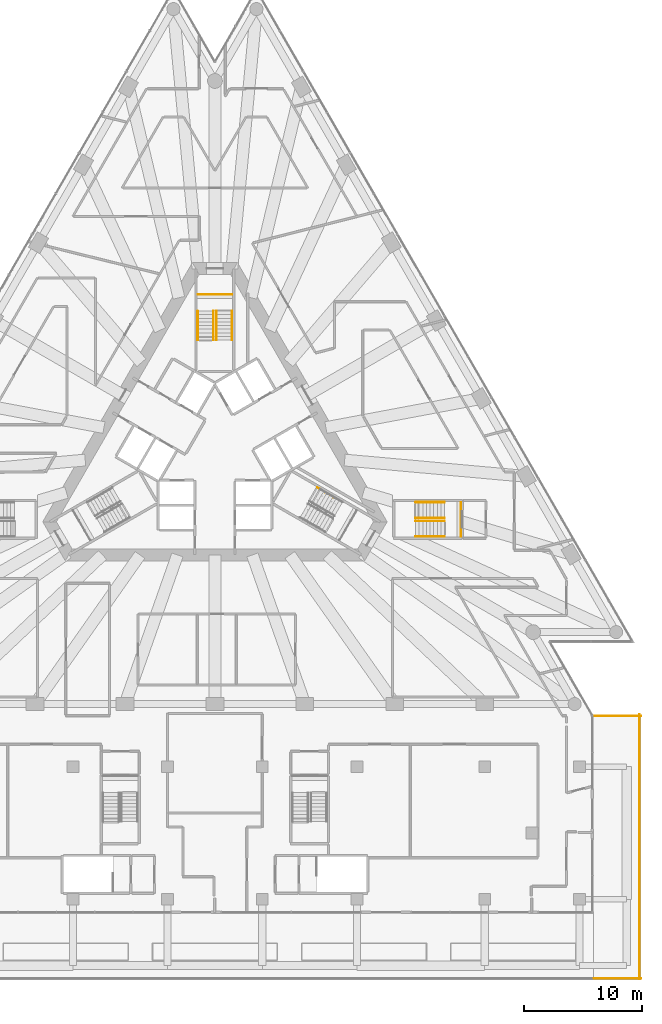
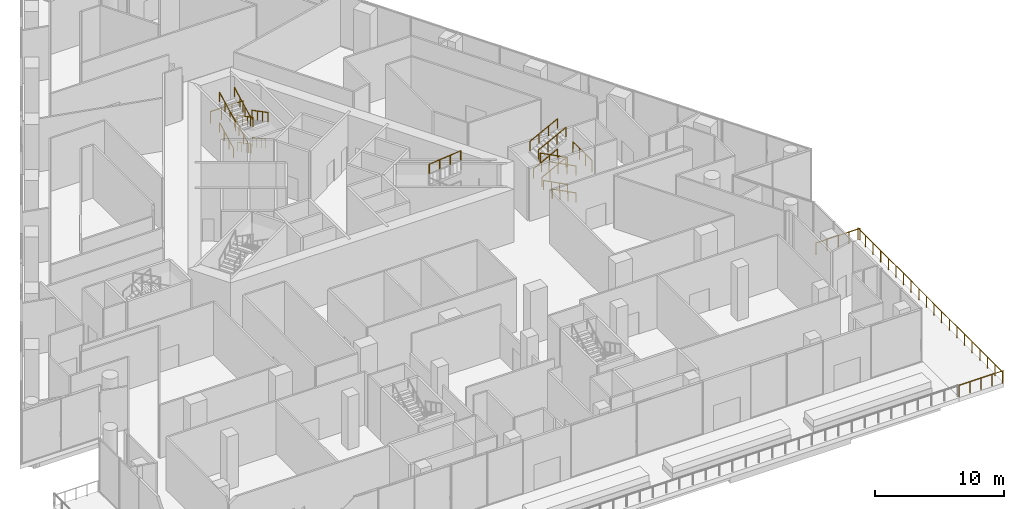
# One storey, part 32 of 32: 22 railings, 3 elements without a shape of their own.
"""IFC4 building model written with IfcOpenShell, lengths in metres."""

import ifcopenshell
import ifcopenshell.guid

model = None  # the IFC model being written
_history = None  # IfcOwnerHistory: only IFC2X3 demands one
_inside = {}  # id of a spatial element -> (the spatial element, [elements in it])
_under = {}  # id of a project, library or spatial element -> (it, [spatial elements below it])
_declared = {}  # id of a project -> (the project, [libraries it declares])
_typed = {}  # id of a type object -> (the type object, [elements of that type])
_made_of = {}  # id of a material, layer set ... -> (it, [elements and type objects made of it])


def new_model(schema):
    """Start an empty IFC model of exactly this schema.

    Asked for "IFC4X3", IfcOpenShell would pick the latest addendum, in which some entities
    have other attributes; the version numbers below select the first issue.
    IFC2X3 requires an IfcOwnerHistory on every rooted entity: one is made here for all.
    """
    global model, _history
    if schema == "IFC4X3":
        model = ifcopenshell.file(schema_version=(4, 3, 0, 0))
    else:
        model = ifcopenshell.file(schema=schema)
    _inside.clear()
    _under.clear()
    _declared.clear()
    _typed.clear()
    _made_of.clear()
    _history = None
    if model.schema == "IFC2X3":
        org = make("IfcOrganization", Name="unknown")
        user = make(
            "IfcPersonAndOrganization",
            ThePerson=make("IfcPerson", FamilyName="unknown"),
            TheOrganization=org,
        )
        app = make(
            "IfcApplication",
            ApplicationDeveloper=org,
            Version="unknown",
            ApplicationFullName="unknown",
            ApplicationIdentifier="unknown",
        )
        _history = make(
            "IfcOwnerHistory",
            OwningUser=user,
            OwningApplication=app,
            ChangeAction="ADDED",
            CreationDate=0,
        )
    return model


def make(cls, **values):
    """One entity of the class cls with the attributes given. An attribute that is None is left unset."""
    return model.create_entity(
        cls, **{name: value for name, value in values.items() if value is not None}
    )


def rooted(cls, **values):
    """An entity with a GlobalId (a new one), such as an element, a storey or a relation."""
    return make(cls, GlobalId=ifcopenshell.guid.new(), OwnerHistory=_history, **values)


def si_unit(unit_type, name, prefix=None):
    """IfcSIUnit, for example si_unit("LENGTHUNIT", "METRE", prefix="MILLI")."""
    return make("IfcSIUnit", UnitType=unit_type, Prefix=prefix, Name=name)


def assignment(units):
    """IfcUnitAssignment: the units of a project."""
    return None if units is None else make("IfcUnitAssignment", Units=units)


def point(xyz):
    """IfcCartesianPoint."""
    return None if xyz is None else make("IfcCartesianPoint", Coordinates=xyz)


def direction(xyz):
    """IfcDirection."""
    return None if xyz is None else make("IfcDirection", DirectionRatios=xyz)


def frame(location, z_axis=None, x_axis=None):
    """IfcAxis2Placement3D, a coordinate frame: its origin and axes. An axis left out is left unset."""
    return make(
        "IfcAxis2Placement3D",
        Location=point(location),
        Axis=direction(z_axis),
        RefDirection=direction(x_axis),
    )


def frame_2d(location, x_axis=None):
    """IfcAxis2Placement2D, a coordinate frame in the plane: its origin and x axis."""
    return make(
        "IfcAxis2Placement2D", Location=point(location), RefDirection=direction(x_axis)
    )


def origin():
    """The frame at (0, 0, 0) with its axes left unset."""
    return frame((0.0, 0.0, 0.0))


def origin_2d():
    """The frame at (0, 0) in the plane with its x axis left unset."""
    return frame_2d((0.0, 0.0))


def place(relative_to, where):
    """IfcLocalPlacement: puts the frame where relative to a parent placement (None: the world)."""
    return make(
        "IfcLocalPlacement", PlacementRelTo=relative_to, RelativePlacement=where
    )


def context(
    kind, dimensions, precision=None, world=None, true_north=None, identifier=None
):
    """IfcGeometricRepresentationContext, for example the 3D "Model" context."""
    return make(
        "IfcGeometricRepresentationContext",
        ContextIdentifier=identifier,
        ContextType=kind,
        CoordinateSpaceDimension=dimensions,
        Precision=precision,
        WorldCoordinateSystem=world,
        TrueNorth=true_north,
    )


def subcontext(parent, identifier, kind, view, scale=None):
    """IfcGeometricRepresentationSubContext, for example "Body" below "Model"."""
    return make(
        "IfcGeometricRepresentationSubContext",
        ContextIdentifier=identifier,
        ContextType=kind,
        ParentContext=parent,
        TargetScale=scale,
        TargetView=view,
    )


def project(units=None, contexts=None):
    """IfcProject with its units and contexts."""
    return rooted(
        "IfcProject",
        Name="project",
        RepresentationContexts=contexts,
        UnitsInContext=assignment(units),
    )


def spatial(cls, under=None, at=None, **own):
    """A site, building, storey or space (cls), placed at a placement, below another one or the project."""
    s = rooted(cls, ObjectPlacement=at, **own)
    if under is not None:
        _under.setdefault(under.id(), (under, []))[1].append(s)
    return s


def profile(cls, at=None, kind="AREA", **sizes):
    """A parametric profile (cls). Its sizes go by their IFC names, for example OverallWidth=200.0."""
    return make(cls, ProfileType=kind, Position=at, **sizes)


def circle(**sizes):
    """IfcCircleProfileDef."""
    return profile("IfcCircleProfileDef", **sizes)


def extrude(swept, where, along, depth):
    """IfcExtrudedAreaSolid: the profile swept, set in the frame where, extruded along a direction by depth."""
    return make(
        "IfcExtrudedAreaSolid",
        SweptArea=swept,
        Position=where,
        ExtrudedDirection=direction(along),
        Depth=depth,
    )


def shape(context_of_items, identifier, shape_type, items):
    """IfcShapeRepresentation: the items that make up one representation, for example the "Body"."""
    return make(
        "IfcShapeRepresentation",
        ContextOfItems=context_of_items,
        RepresentationIdentifier=identifier,
        RepresentationType=shape_type,
        Items=items,
    )


def material(Name=None, Category=None):
    """IfcMaterial."""
    return make("IfcMaterial", Name=Name, Category=Category)


def made_of(thing, what):
    """Note that an element or type object is made of a material, layer set ...; save() writes the relation."""
    if what is not None:
        _made_of.setdefault(what.id(), (what, []))[1].append(thing)
    return thing


def type_object(cls, material=None, **own):
    """A type object (cls), such as IfcWallType, which elements share."""
    return made_of(rooted(cls, **own), material)


def element(
    cls,
    number,
    at=None,
    inside=None,
    cuts=None,
    type_object=None,
    material=None,
    context=None,
    identifier="Body",
    shape_type=None,
    held_by="IfcProductDefinitionShape",
    body=None,
    shapes=None,
    **own,
):
    """One element of the class cls, such as IfcWall. Its Tag is "e" and its number.

    at: its placement. inside: the storey or other place that contains it. cuts: it is an
    opening in that element (IfcRelVoidsElement). A single representation is given by context,
    identifier, shape_type and body (its items); several are given by shapes. held_by: the class
    of the entity that holds the representations. save() writes the other relations.
    """
    e = rooted(cls, Tag="e%d" % number, ObjectPlacement=at, **own)
    if body is not None:
        shapes = [shape(context, identifier, shape_type, body)]
    if shapes is not None:
        e.Representation = make(held_by, Representations=shapes)
    if inside is not None:
        _inside.setdefault(inside.id(), (inside, []))[1].append(e)
    if cuts is not None:
        rooted(
            "IfcRelVoidsElement", RelatingBuildingElement=cuts, RelatedOpeningElement=e
        )
    if type_object is not None:
        _typed.setdefault(type_object.id(), (type_object, []))[1].append(e)
    return made_of(e, material)


def aggregate(whole, parts):
    """IfcRelAggregates: a whole, such as a stair, and the parts it consists of."""
    return rooted("IfcRelAggregates", RelatingObject=whole, RelatedObjects=parts)


def save(model, path):
    """Write the relations noted so far, then the file.

    IfcRelAggregates (storeys below a building ...), IfcRelContainedInSpatialStructure (elements
    in a storey), IfcRelDefinesByType, IfcRelAssociatesMaterial and IfcRelDeclares: one each for
    every whole, place, type object, material and project.
    """
    for whole, parts in _under.values():
        aggregate(whole, parts)
    for where, things in _inside.values():
        rooted(
            "IfcRelContainedInSpatialStructure",
            RelatedElements=things,
            RelatingStructure=where,
        )
    for kind, things in _typed.values():
        rooted("IfcRelDefinesByType", RelatedObjects=things, RelatingType=kind)
    for what, things in _made_of.values():
        rooted("IfcRelAssociatesMaterial", RelatedObjects=things, RelatingMaterial=what)
    for by, libraries in _declared.values():
        rooted("IfcRelDeclares", RelatingContext=by, RelatedDefinitions=libraries)
    model.write(path)


model = new_model("IFC4")

# Units and contexts
model_context = context("Model", 3, precision=1e-05, world=origin(), true_north=direction((0.0, 1.0)))
body_context = subcontext(model_context, "Body", "Model", "MODEL_VIEW")
ifc_project = project(units=[si_unit("LENGTHUNIT", "METRE"), si_unit("AREAUNIT", "SQUARE_METRE"), si_unit("VOLUMEUNIT", "CUBIC_METRE"), si_unit("PLANEANGLEUNIT", "RADIAN"), si_unit("MASSUNIT", "GRAM", prefix="KILO")], contexts=[model_context])

# Site, building, storey
site_placement = place(None, origin())
site = spatial("IfcSite", under=ifc_project, at=site_placement, CompositionType="ELEMENT")
building_placement = place(site_placement, origin())
building = spatial("IfcBuilding", under=site, at=building_placement, Name="Triada Interchange Tower", CompositionType="ELEMENT")
storey_placement = place(building_placement, frame((0.0, 0.0, 14.5)))
storey = spatial("IfcBuildingStorey", under=building, at=storey_placement, Name="L02", CompositionType="ELEMENT", Elevation=14.5)

# Stair, railing
ifc_material_1 = material(Name="Concrete C35/45", Category="concrete")
stair_type = type_object("IfcStairType", Name="HALF TURN STAIR 1400", PredefinedType="HALF_TURN_STAIR", material=ifc_material_1)
stair_1_placement = place(storey_placement, origin())
stair_1 = element("IfcStair", 1, at=stair_1_placement, inside=storey, type_object=stair_type, Name="Exit stair S02-1", PredefinedType="HALF_TURN_STAIR")
ifc_material_2 = material(Name="Stainless steel 1.4301", Category="steel")
railing_type_1 = type_object("IfcRailingType", Name="STAIR GUARD 1100", PredefinedType="GUARDRAIL", material=ifc_material_2)
railing_1_placement = place(storey_placement, frame((1.449951171875, 13.0, 2.541015625)))
railing_1 = element("IfcRailing", 2, at=railing_1_placement, type_object=railing_type_1, Name="Guard S02-1 1", PredefinedType="GUARDRAIL", context=body_context, shape_type="SweptSolid", body=[
    extrude(circle(Radius=0.02392578125, at=origin_2d()), frame((0.0, 0.0, 1.076171875), z_axis=(-1.0, 0.0, 0.0), x_axis=(0.0, -1.0, 0.0)), (0.0, 0.0, 1.0), 2.89990234375),
    extrude(circle(Radius=0.02099609375, at=origin_2d()), origin(), (0.0, 0.0, 1.0), 1.052001953125),
    extrude(circle(Radius=0.02099609375, at=origin_2d()), frame((-0.966552734375, 0.0, 0.0)), (0.0, 0.0, 1.0), 1.052001953125),
    extrude(circle(Radius=0.02099609375, at=origin_2d()), frame((-1.933349609375, 0.0, 0.0)), (0.0, 0.0, 1.0), 1.052001953125),
    extrude(circle(Radius=0.02099609375, at=origin_2d()), frame((-2.89990234375, 0.0, 0.0)), (0.0, 0.0, 1.0), 1.052001953125),
])

stair_2_placement = place(storey_placement, origin())
stair_2 = element("IfcStair", 3, at=stair_2_placement, inside=storey, type_object=stair_type, Name="Exit stair S02-7", PredefinedType="HALF_TURN_STAIR")
railing_2_placement = place(storey_placement, frame((20.800048828125, -7.449951171875, 2.541015625)))
railing_2 = element("IfcRailing", 4, at=railing_2_placement, type_object=railing_type_1, Name="Guard S02-7 1", PredefinedType="GUARDRAIL", context=body_context, shape_type="SweptSolid", body=[
    extrude(circle(Radius=0.02392578125, at=origin_2d()), frame((0.0, 0.0, 1.076171875), z_axis=(0.0, 1.0, 0.0), x_axis=(-1.0, 0.0, 0.0)), (0.0, 0.0, 1.0), 2.89990234375),
    extrude(circle(Radius=0.02099609375, at=origin_2d()), origin(), (0.0, 0.0, 1.0), 1.052001953125),
    extrude(circle(Radius=0.02099609375, at=origin_2d()), frame((0.0, 0.966552734375, 0.0)), (0.0, 0.0, 1.0), 1.052001953125),
    extrude(circle(Radius=0.02099609375, at=origin_2d()), frame((0.0, 1.933349609375, 0.0)), (0.0, 0.0, 1.0), 1.052001953125),
    extrude(circle(Radius=0.02099609375, at=origin_2d()), frame((0.0, 2.89990234375, 0.0)), (0.0, 0.0, 1.0), 1.052001953125),
])

# Railing
railing_type_2 = type_object("IfcRailingType", Name="STAIR HANDRAIL 900", PredefinedType="HANDRAIL", material=ifc_material_2)
railing_3_placement = place(storey_placement, frame((1.449951171875, 11.60009765625, 0.15869140625)))
railing_3 = element("IfcRailing", 5, at=railing_3_placement, type_object=railing_type_2, Name="Handrail S02-1 1W", PredefinedType="HANDRAIL", context=body_context, shape_type="SweptSolid", body=[
    extrude(circle(Radius=0.02392578125, at=origin_2d()), frame((0.0, 0.0, 0.8759765625), z_axis=(0.0, -0.886942649844, 0.461879568598), x_axis=(1.0, 0.0, 0.0)), (0.0, 0.0, 1.0), 2.4072265625),
    extrude(circle(Radius=0.02099609375, at=origin_2d()), origin(), (0.0, 0.0, 1.0), 0.851806640625),
    extrude(circle(Radius=0.02099609375, at=origin_2d()), frame((0.0, -0.711669921875, 0.37060546875)), (0.0, 0.0, 1.0), 0.851806640625),
    extrude(circle(Radius=0.02099609375, at=origin_2d()), frame((0.0, -1.42333984375, 0.7412109375)), (0.0, 0.0, 1.0), 0.851806640625),
    extrude(circle(Radius=0.02099609375, at=origin_2d()), frame((0.0, -2.135009765625, 1.11181640625)), (0.0, 0.0, 1.0), 0.851806640625),
])

railing_4_placement = place(storey_placement, frame((0.1201171875, 11.60009765625, 0.15869140625)))
railing_4 = element("IfcRailing", 6, at=railing_4_placement, type_object=railing_type_2, Name="Handrail S02-1 1C", PredefinedType="HANDRAIL", context=body_context, shape_type="SweptSolid", body=[
    extrude(circle(Radius=0.02392578125, at=origin_2d()), frame((0.0, 0.0, 0.8759765625), z_axis=(0.0, -0.886942649844, 0.461879568598), x_axis=(1.0, 0.0, 0.0)), (0.0, 0.0, 1.0), 2.4072265625),
    extrude(circle(Radius=0.02099609375, at=origin_2d()), origin(), (0.0, 0.0, 1.0), 0.851806640625),
    extrude(circle(Radius=0.02099609375, at=origin_2d()), frame((0.0, -0.711669921875, 0.37060546875)), (0.0, 0.0, 1.0), 0.851806640625),
    extrude(circle(Radius=0.02099609375, at=origin_2d()), frame((0.0, -1.42333984375, 0.7412109375)), (0.0, 0.0, 1.0), 0.851806640625),
    extrude(circle(Radius=0.02099609375, at=origin_2d()), frame((0.0, -2.135009765625, 1.11181640625)), (0.0, 0.0, 1.0), 0.851806640625),
])

railing_5_placement = place(storey_placement, frame((-1.449951171875, 9.465087890625, 1.429443359375)))
railing_5 = element("IfcRailing", 7, at=railing_5_placement, type_object=railing_type_2, Name="Handrail S02-1 2W", PredefinedType="HANDRAIL", context=body_context, shape_type="SweptSolid", body=[
    extrude(circle(Radius=0.02392578125, at=origin_2d()), frame((0.0, 0.0, 0.8759765625), z_axis=(0.0, 0.886942649844, 0.461879568598), x_axis=(-1.0, 0.0, 0.0)), (0.0, 0.0, 1.0), 2.4072265625),
    extrude(circle(Radius=0.02099609375, at=origin_2d()), origin(), (0.0, 0.0, 1.0), 0.851806640625),
    extrude(circle(Radius=0.02099609375, at=origin_2d()), frame((0.0, 0.711669921875, 0.37060546875)), (0.0, 0.0, 1.0), 0.851806640625),
    extrude(circle(Radius=0.02099609375, at=origin_2d()), frame((0.0, 1.42333984375, 0.7412109375)), (0.0, 0.0, 1.0), 0.851806640625),
    extrude(circle(Radius=0.02099609375, at=origin_2d()), frame((0.0, 2.135009765625, 1.11181640625)), (0.0, 0.0, 1.0), 0.851806640625),
])

railing_6_placement = place(storey_placement, frame((-0.1201171875, 9.465087890625, 1.429443359375)))
railing_6 = element("IfcRailing", 8, at=railing_6_placement, type_object=railing_type_2, Name="Handrail S02-1 2C", PredefinedType="HANDRAIL", context=body_context, shape_type="SweptSolid", body=[
    extrude(circle(Radius=0.02392578125, at=origin_2d()), frame((0.0, 0.0, 0.8759765625), z_axis=(0.0, 0.886942649844, 0.461879568598), x_axis=(-1.0, 0.0, 0.0)), (0.0, 0.0, 1.0), 2.4072265625),
    extrude(circle(Radius=0.02099609375, at=origin_2d()), origin(), (0.0, 0.0, 1.0), 0.851806640625),
    extrude(circle(Radius=0.02099609375, at=origin_2d()), frame((0.0, 0.711669921875, 0.37060546875)), (0.0, 0.0, 1.0), 0.851806640625),
    extrude(circle(Radius=0.02099609375, at=origin_2d()), frame((0.0, 1.42333984375, 0.7412109375)), (0.0, 0.0, 1.0), 0.851806640625),
    extrude(circle(Radius=0.02099609375, at=origin_2d()), frame((0.0, 2.135009765625, 1.11181640625)), (0.0, 0.0, 1.0), 0.851806640625),
])

railing_7_placement = place(storey_placement, frame((1.449951171875, 11.60009765625, 2.699951171875)))
railing_7 = element("IfcRailing", 9, at=railing_7_placement, type_object=railing_type_2, Name="Handrail S02-1 3W", PredefinedType="HANDRAIL", context=body_context, shape_type="SweptSolid", body=[
    extrude(circle(Radius=0.02392578125, at=origin_2d()), frame((0.0, 0.0, 0.8759765625), z_axis=(0.0, -0.886976943753, 0.461813708383), x_axis=(1.0, 0.0, 0.0)), (0.0, 0.0, 1.0), 2.751220703125),
    extrude(circle(Radius=0.02099609375, at=origin_2d()), origin(), (0.0, 0.0, 1.0), 0.851806640625),
    extrude(circle(Radius=0.02099609375, at=origin_2d()), frame((0.0, -0.8134765625, 0.423583984375)), (0.0, 0.0, 1.0), 0.851806640625),
    extrude(circle(Radius=0.02099609375, at=origin_2d()), frame((0.0, -1.626708984375, 0.846923828125)), (0.0, 0.0, 1.0), 0.851806640625),
    extrude(circle(Radius=0.02099609375, at=origin_2d()), frame((0.0, -2.440185546875, 1.2705078125)), (0.0, 0.0, 1.0), 0.851806640625),
])

railing_8_placement = place(storey_placement, frame((0.1201171875, 11.60009765625, 2.699951171875)))
railing_8 = element("IfcRailing", 10, at=railing_8_placement, type_object=railing_type_2, Name="Handrail S02-1 3C", PredefinedType="HANDRAIL", context=body_context, shape_type="SweptSolid", body=[
    extrude(circle(Radius=0.02392578125, at=origin_2d()), frame((0.0, 0.0, 0.8759765625), z_axis=(0.0, -0.886976943753, 0.461813708383), x_axis=(1.0, 0.0, 0.0)), (0.0, 0.0, 1.0), 2.751220703125),
    extrude(circle(Radius=0.02099609375, at=origin_2d()), origin(), (0.0, 0.0, 1.0), 0.851806640625),
    extrude(circle(Radius=0.02099609375, at=origin_2d()), frame((0.0, -0.8134765625, 0.423583984375)), (0.0, 0.0, 1.0), 0.851806640625),
    extrude(circle(Radius=0.02099609375, at=origin_2d()), frame((0.0, -1.626708984375, 0.846923828125)), (0.0, 0.0, 1.0), 0.851806640625),
    extrude(circle(Radius=0.02099609375, at=origin_2d()), frame((0.0, -2.440185546875, 1.2705078125)), (0.0, 0.0, 1.0), 0.851806640625),
])

railing_9_placement = place(storey_placement, frame((-1.449951171875, 9.159912109375, 4.12939453125)))
railing_9 = element("IfcRailing", 11, at=railing_9_placement, type_object=railing_type_2, Name="Handrail S02-1 4W", PredefinedType="HANDRAIL", context=body_context, shape_type="SweptSolid", body=[
    extrude(circle(Radius=0.02392578125, at=origin_2d()), frame((0.0, 0.0, 0.8759765625), z_axis=(0.0, 0.886976943753, 0.461813708383), x_axis=(-1.0, 0.0, 0.0)), (0.0, 0.0, 1.0), 2.751220703125),
    extrude(circle(Radius=0.02099609375, at=origin_2d()), origin(), (0.0, 0.0, 1.0), 0.851806640625),
    extrude(circle(Radius=0.02099609375, at=origin_2d()), frame((0.0, 0.8134765625, 0.423583984375)), (0.0, 0.0, 1.0), 0.851806640625),
    extrude(circle(Radius=0.02099609375, at=origin_2d()), frame((0.0, 1.626708984375, 0.846923828125)), (0.0, 0.0, 1.0), 0.851806640625),
    extrude(circle(Radius=0.02099609375, at=origin_2d()), frame((0.0, 2.440185546875, 1.2705078125)), (0.0, 0.0, 1.0), 0.851806640625),
])

railing_10_placement = place(storey_placement, frame((-0.1201171875, 9.159912109375, 4.12939453125)))
railing_10 = element("IfcRailing", 12, at=railing_10_placement, type_object=railing_type_2, Name="Handrail S02-1 4C", PredefinedType="HANDRAIL", context=body_context, shape_type="SweptSolid", body=[
    extrude(circle(Radius=0.02392578125, at=origin_2d()), frame((0.0, 0.0, 0.8759765625), z_axis=(0.0, 0.886976943753, 0.461813708383), x_axis=(-1.0, 0.0, 0.0)), (0.0, 0.0, 1.0), 2.751220703125),
    extrude(circle(Radius=0.02099609375, at=origin_2d()), origin(), (0.0, 0.0, 1.0), 0.851806640625),
    extrude(circle(Radius=0.02099609375, at=origin_2d()), frame((0.0, 0.8134765625, 0.423583984375)), (0.0, 0.0, 1.0), 0.851806640625),
    extrude(circle(Radius=0.02099609375, at=origin_2d()), frame((0.0, 1.626708984375, 0.846923828125)), (0.0, 0.0, 1.0), 0.851806640625),
    extrude(circle(Radius=0.02099609375, at=origin_2d()), frame((0.0, 2.440185546875, 1.2705078125)), (0.0, 0.0, 1.0), 0.851806640625),
])

aggregate(stair_1, [railing_3, railing_4, railing_5, railing_6, railing_7, railing_8, railing_9, railing_10, railing_1])

# Stair, railing
stair_3_placement = place(storey_placement, origin())
stair_3 = element("IfcStair", 13, at=stair_3_placement, inside=storey, type_object=stair_type, Name="Exit stair S02-3", PredefinedType="HALF_TURN_STAIR")
railing_11_placement = place(storey_placement, frame((8.657958984375, -3.323974609375, 4.12939453125)))
railing_11 = element("IfcRailing", 14, at=railing_11_placement, type_object=railing_type_2, Name="Handrail S02-3 4W", PredefinedType="HANDRAIL", context=body_context, shape_type="SweptSolid", body=[
    extrude(circle(Radius=0.02392578125, at=origin_2d()), frame((0.0, 0.0, 0.8759765625), z_axis=(0.768126067177, -0.443480757676, 0.461851883719), x_axis=(0.500002508028, 0.866023955769, 0.0)), (0.0, 0.0, 1.0), 2.7509765625),
    extrude(circle(Radius=0.02099609375, at=origin_2d()), origin(), (0.0, 0.0, 1.0), 0.851806640625),
    extrude(circle(Radius=0.02099609375, at=origin_2d()), frame((0.704345703125, -0.40673828125, 0.423583984375)), (0.0, 0.0, 1.0), 0.851806640625),
    extrude(circle(Radius=0.02099609375, at=origin_2d()), frame((1.40869140625, -0.813232421875, 0.846923828125)), (0.0, 0.0, 1.0), 0.851806640625),
    extrude(circle(Radius=0.02099609375, at=origin_2d()), frame((2.113037109375, -1.219970703125, 1.2705078125)), (0.0, 0.0, 1.0), 0.851806640625),
])
aggregate(stair_3, [railing_11])

# Railing
railing_12_placement = place(storey_placement, frame((19.39990234375, -7.449951171875, 0.15869140625)))
railing_12 = element("IfcRailing", 15, at=railing_12_placement, type_object=railing_type_2, Name="Handrail S02-7 1W", PredefinedType="HANDRAIL", context=body_context, shape_type="SweptSolid", body=[
    extrude(circle(Radius=0.02392578125, at=origin_2d()), frame((0.0, 0.0, 0.8759765625), z_axis=(-0.886942649844, 0.0, 0.461879568598), x_axis=(0.0, -1.0, 0.0)), (0.0, 0.0, 1.0), 2.4072265625),
    extrude(circle(Radius=0.02099609375, at=origin_2d()), origin(), (0.0, 0.0, 1.0), 0.851806640625),
    extrude(circle(Radius=0.02099609375, at=origin_2d()), frame((-0.711669921875, 0.0, 0.37060546875)), (0.0, 0.0, 1.0), 0.851806640625),
    extrude(circle(Radius=0.02099609375, at=origin_2d()), frame((-1.42333984375, 0.0, 0.7412109375)), (0.0, 0.0, 1.0), 0.851806640625),
    extrude(circle(Radius=0.02099609375, at=origin_2d()), frame((-2.135009765625, 0.0, 1.11181640625)), (0.0, 0.0, 1.0), 0.851806640625),
])

railing_13_placement = place(storey_placement, frame((19.39990234375, -6.1201171875, 0.15869140625)))
railing_13 = element("IfcRailing", 16, at=railing_13_placement, type_object=railing_type_2, Name="Handrail S02-7 1C", PredefinedType="HANDRAIL", context=body_context, shape_type="SweptSolid", body=[
    extrude(circle(Radius=0.02392578125, at=origin_2d()), frame((0.0, 0.0, 0.8759765625), z_axis=(-0.886942649844, 0.0, 0.461879568598), x_axis=(0.0, -1.0, 0.0)), (0.0, 0.0, 1.0), 2.4072265625),
    extrude(circle(Radius=0.02099609375, at=origin_2d()), origin(), (0.0, 0.0, 1.0), 0.851806640625),
    extrude(circle(Radius=0.02099609375, at=origin_2d()), frame((-0.711669921875, 0.0, 0.37060546875)), (0.0, 0.0, 1.0), 0.851806640625),
    extrude(circle(Radius=0.02099609375, at=origin_2d()), frame((-1.42333984375, 0.0, 0.7412109375)), (0.0, 0.0, 1.0), 0.851806640625),
    extrude(circle(Radius=0.02099609375, at=origin_2d()), frame((-2.135009765625, 0.0, 1.11181640625)), (0.0, 0.0, 1.0), 0.851806640625),
])

railing_14_placement = place(storey_placement, frame((17.264892578125, -4.550048828125, 1.429443359375)))
railing_14 = element("IfcRailing", 17, at=railing_14_placement, type_object=railing_type_2, Name="Handrail S02-7 2W", PredefinedType="HANDRAIL", context=body_context, shape_type="SweptSolid", body=[
    extrude(circle(Radius=0.02392578125, at=origin_2d()), frame((0.0, 0.0, 0.8759765625), z_axis=(0.886942649844, 0.0, 0.461879568598), x_axis=(0.0, 1.0, 0.0)), (0.0, 0.0, 1.0), 2.4072265625),
    extrude(circle(Radius=0.02099609375, at=origin_2d()), origin(), (0.0, 0.0, 1.0), 0.851806640625),
    extrude(circle(Radius=0.02099609375, at=origin_2d()), frame((0.711669921875, 0.0, 0.37060546875)), (0.0, 0.0, 1.0), 0.851806640625),
    extrude(circle(Radius=0.02099609375, at=origin_2d()), frame((1.42333984375, 0.0, 0.7412109375)), (0.0, 0.0, 1.0), 0.851806640625),
    extrude(circle(Radius=0.02099609375, at=origin_2d()), frame((2.135009765625, 0.0, 1.11181640625)), (0.0, 0.0, 1.0), 0.851806640625),
])

railing_15_placement = place(storey_placement, frame((17.264892578125, -5.8798828125, 1.429443359375)))
railing_15 = element("IfcRailing", 18, at=railing_15_placement, type_object=railing_type_2, Name="Handrail S02-7 2C", PredefinedType="HANDRAIL", context=body_context, shape_type="SweptSolid", body=[
    extrude(circle(Radius=0.02392578125, at=origin_2d()), frame((0.0, 0.0, 0.8759765625), z_axis=(0.886942649844, 0.0, 0.461879568598), x_axis=(0.0, 1.0, 0.0)), (0.0, 0.0, 1.0), 2.4072265625),
    extrude(circle(Radius=0.02099609375, at=origin_2d()), origin(), (0.0, 0.0, 1.0), 0.851806640625),
    extrude(circle(Radius=0.02099609375, at=origin_2d()), frame((0.711669921875, 0.0, 0.37060546875)), (0.0, 0.0, 1.0), 0.851806640625),
    extrude(circle(Radius=0.02099609375, at=origin_2d()), frame((1.42333984375, 0.0, 0.7412109375)), (0.0, 0.0, 1.0), 0.851806640625),
    extrude(circle(Radius=0.02099609375, at=origin_2d()), frame((2.135009765625, 0.0, 1.11181640625)), (0.0, 0.0, 1.0), 0.851806640625),
])

railing_16_placement = place(storey_placement, frame((19.39990234375, -7.449951171875, 2.699951171875)))
railing_16 = element("IfcRailing", 19, at=railing_16_placement, type_object=railing_type_2, Name="Handrail S02-7 3W", PredefinedType="HANDRAIL", context=body_context, shape_type="SweptSolid", body=[
    extrude(circle(Radius=0.02392578125, at=origin_2d()), frame((0.0, 0.0, 0.8759765625), z_axis=(-0.886958015329, 0.0, 0.461850061214), x_axis=(0.0, -1.0, 0.0)), (0.0, 0.0, 1.0), 2.7509765625),
    extrude(circle(Radius=0.02099609375, at=origin_2d()), origin(), (0.0, 0.0, 1.0), 0.851806640625),
    extrude(circle(Radius=0.02099609375, at=origin_2d()), frame((-0.813232421875, 0.0, 0.423583984375)), (0.0, 0.0, 1.0), 0.851806640625),
    extrude(circle(Radius=0.02099609375, at=origin_2d()), frame((-1.626708984375, 0.0, 0.846923828125)), (0.0, 0.0, 1.0), 0.851806640625),
    extrude(circle(Radius=0.02099609375, at=origin_2d()), frame((-2.43994140625, 0.0, 1.2705078125)), (0.0, 0.0, 1.0), 0.851806640625),
])

railing_17_placement = place(storey_placement, frame((19.39990234375, -6.1201171875, 2.699951171875)))
railing_17 = element("IfcRailing", 20, at=railing_17_placement, type_object=railing_type_2, Name="Handrail S02-7 3C", PredefinedType="HANDRAIL", context=body_context, shape_type="SweptSolid", body=[
    extrude(circle(Radius=0.02392578125, at=origin_2d()), frame((0.0, 0.0, 0.8759765625), z_axis=(-0.886958015329, 0.0, 0.461850061214), x_axis=(0.0, -1.0, 0.0)), (0.0, 0.0, 1.0), 2.7509765625),
    extrude(circle(Radius=0.02099609375, at=origin_2d()), origin(), (0.0, 0.0, 1.0), 0.851806640625),
    extrude(circle(Radius=0.02099609375, at=origin_2d()), frame((-0.813232421875, 0.0, 0.423583984375)), (0.0, 0.0, 1.0), 0.851806640625),
    extrude(circle(Radius=0.02099609375, at=origin_2d()), frame((-1.626708984375, 0.0, 0.846923828125)), (0.0, 0.0, 1.0), 0.851806640625),
    extrude(circle(Radius=0.02099609375, at=origin_2d()), frame((-2.43994140625, 0.0, 1.2705078125)), (0.0, 0.0, 1.0), 0.851806640625),
])

railing_18_placement = place(storey_placement, frame((16.9599609375, -4.550048828125, 4.12939453125)))
railing_18 = element("IfcRailing", 21, at=railing_18_placement, type_object=railing_type_2, Name="Handrail S02-7 4W", PredefinedType="HANDRAIL", context=body_context, shape_type="SweptSolid", body=[
    extrude(circle(Radius=0.02392578125, at=origin_2d()), frame((0.0, 0.0, 0.8759765625), z_axis=(0.886958015329, 0.0, 0.461850061214), x_axis=(0.0, 1.0, 0.0)), (0.0, 0.0, 1.0), 2.7509765625),
    extrude(circle(Radius=0.02099609375, at=origin_2d()), origin(), (0.0, 0.0, 1.0), 0.851806640625),
    extrude(circle(Radius=0.02099609375, at=origin_2d()), frame((0.813232421875, 0.0, 0.423583984375)), (0.0, 0.0, 1.0), 0.851806640625),
    extrude(circle(Radius=0.02099609375, at=origin_2d()), frame((1.626708984375, 0.0, 0.846923828125)), (0.0, 0.0, 1.0), 0.851806640625),
    extrude(circle(Radius=0.02099609375, at=origin_2d()), frame((2.43994140625, 0.0, 1.2705078125)), (0.0, 0.0, 1.0), 0.851806640625),
])

railing_19_placement = place(storey_placement, frame((16.9599609375, -5.8798828125, 4.12939453125)))
railing_19 = element("IfcRailing", 22, at=railing_19_placement, type_object=railing_type_2, Name="Handrail S02-7 4C", PredefinedType="HANDRAIL", context=body_context, shape_type="SweptSolid", body=[
    extrude(circle(Radius=0.02392578125, at=origin_2d()), frame((0.0, 0.0, 0.8759765625), z_axis=(0.886958015329, 0.0, 0.461850061214), x_axis=(0.0, 1.0, 0.0)), (0.0, 0.0, 1.0), 2.7509765625),
    extrude(circle(Radius=0.02099609375, at=origin_2d()), origin(), (0.0, 0.0, 1.0), 0.851806640625),
    extrude(circle(Radius=0.02099609375, at=origin_2d()), frame((0.813232421875, 0.0, 0.423583984375)), (0.0, 0.0, 1.0), 0.851806640625),
    extrude(circle(Radius=0.02099609375, at=origin_2d()), frame((1.626708984375, 0.0, 0.846923828125)), (0.0, 0.0, 1.0), 0.851806640625),
    extrude(circle(Radius=0.02099609375, at=origin_2d()), frame((2.43994140625, 0.0, 1.2705078125)), (0.0, 0.0, 1.0), 0.851806640625),
])

aggregate(stair_2, [railing_12, railing_13, railing_14, railing_15, railing_16, railing_17, railing_18, railing_19, railing_2])

# Railings
railing_type_3 = type_object("IfcRailingType", Name="Terrace guard 1100", PredefinedType="GUARDRAIL", material=ifc_material_2)
railing_20_placement = place(storey_placement, frame((32.050048828125, -44.780029296875, 0.0)))
element("IfcRailing", 23, at=railing_20_placement, inside=storey, type_object=railing_type_3, Name="Guard L02 terrace 11", PredefinedType="GUARDRAIL", context=body_context, shape_type="SweptSolid", body=[
    extrude(circle(Radius=0.02392578125, at=origin_2d()), frame((0.0, 0.0, 1.076171875), z_axis=(1.0, 0.0, 0.0), x_axis=(0.0, 1.0, 0.0)), (0.0, 0.0, 1.0), 3.949951171875),
    extrude(circle(Radius=0.02099609375, at=origin_2d()), origin(), (0.0, 0.0, 1.0), 1.052001953125),
    extrude(circle(Radius=0.02099609375, at=origin_2d()), frame((0.987548828125, 0.0, 0.0)), (0.0, 0.0, 1.0), 1.052001953125),
    extrude(circle(Radius=0.02099609375, at=origin_2d()), frame((1.97509765625, 0.0, 0.0)), (0.0, 0.0, 1.0), 1.052001953125),
    extrude(circle(Radius=0.02099609375, at=origin_2d()), frame((2.96240234375, 0.0, 0.0)), (0.0, 0.0, 1.0), 1.052001953125),
    extrude(circle(Radius=0.02099609375, at=origin_2d()), frame((3.949951171875, 0.0, 0.0)), (0.0, 0.0, 1.0), 1.052001953125),
])
railing_21_placement = place(storey_placement, frame((35.8798828125, -44.89990234375, 0.0)))
element("IfcRailing", 24, at=railing_21_placement, inside=storey, type_object=railing_type_3, Name="Guard L02 terrace 12", PredefinedType="GUARDRAIL", context=body_context, shape_type="SweptSolid", body=[
    extrude(circle(Radius=0.02392578125, at=origin_2d()), frame((0.0, 0.0, 1.076171875), z_axis=(0.0, 1.0, 0.0), x_axis=(-1.0, 0.0, 0.0)), (0.0, 0.0, 1.0), 22.39990234375),
    extrude(circle(Radius=0.02099609375, at=origin_2d()), origin(), (0.0, 0.0, 1.0), 1.052001953125),
    extrude(circle(Radius=0.02099609375, at=origin_2d()), frame((0.0, 1.178955078125, 0.0)), (0.0, 0.0, 1.0), 1.052001953125),
    extrude(circle(Radius=0.02099609375, at=origin_2d()), frame((0.0, 2.35791015625, 0.0)), (0.0, 0.0, 1.0), 1.052001953125),
    extrude(circle(Radius=0.02099609375, at=origin_2d()), frame((0.0, 3.536865234375, 0.0)), (0.0, 0.0, 1.0), 1.052001953125),
    extrude(circle(Radius=0.02099609375, at=origin_2d()), frame((0.0, 4.7158203125, 0.0)), (0.0, 0.0, 1.0), 1.052001953125),
    extrude(circle(Radius=0.02099609375, at=origin_2d()), frame((0.0, 5.894775390625, 0.0)), (0.0, 0.0, 1.0), 1.052001953125),
    extrude(circle(Radius=0.02099609375, at=origin_2d()), frame((0.0, 7.07373046875, 0.0)), (0.0, 0.0, 1.0), 1.052001953125),
    extrude(circle(Radius=0.02099609375, at=origin_2d()), frame((0.0, 8.252685546875, 0.0)), (0.0, 0.0, 1.0), 1.052001953125),
    extrude(circle(Radius=0.02099609375, at=origin_2d()), frame((0.0, 9.431640625, 0.0)), (0.0, 0.0, 1.0), 1.052001953125),
    extrude(circle(Radius=0.02099609375, at=origin_2d()), frame((0.0, 10.610595703125, 0.0)), (0.0, 0.0, 1.0), 1.052001953125),
    extrude(circle(Radius=0.02099609375, at=origin_2d()), frame((0.0, 11.789306640625, 0.0)), (0.0, 0.0, 1.0), 1.052001953125),
    extrude(circle(Radius=0.02099609375, at=origin_2d()), frame((0.0, 12.96826171875, 0.0)), (0.0, 0.0, 1.0), 1.052001953125),
    extrude(circle(Radius=0.02099609375, at=origin_2d()), frame((0.0, 14.147216796875, 0.0)), (0.0, 0.0, 1.0), 1.052001953125),
    extrude(circle(Radius=0.02099609375, at=origin_2d()), frame((0.0, 15.326171875, 0.0)), (0.0, 0.0, 1.0), 1.052001953125),
    extrude(circle(Radius=0.02099609375, at=origin_2d()), frame((0.0, 16.505126953125, 0.0)), (0.0, 0.0, 1.0), 1.052001953125),
    extrude(circle(Radius=0.02099609375, at=origin_2d()), frame((0.0, 17.68408203125, 0.0)), (0.0, 0.0, 1.0), 1.052001953125),
    extrude(circle(Radius=0.02099609375, at=origin_2d()), frame((0.0, 18.863037109375, 0.0)), (0.0, 0.0, 1.0), 1.052001953125),
    extrude(circle(Radius=0.02099609375, at=origin_2d()), frame((0.0, 20.0419921875, 0.0)), (0.0, 0.0, 1.0), 1.052001953125),
    extrude(circle(Radius=0.02099609375, at=origin_2d()), frame((0.0, 21.220947265625, 0.0)), (0.0, 0.0, 1.0), 1.052001953125),
    extrude(circle(Radius=0.02099609375, at=origin_2d()), frame((0.0, 22.39990234375, 0.0)), (0.0, 0.0, 1.0), 1.052001953125),
])
railing_22_placement = place(storey_placement, frame((36.0, -22.6201171875, 0.0)))
element("IfcRailing", 25, at=railing_22_placement, inside=storey, type_object=railing_type_3, Name="Guard L02 terrace 13", PredefinedType="GUARDRAIL", context=body_context, shape_type="SweptSolid", body=[
    extrude(circle(Radius=0.02392578125, at=origin_2d()), frame((0.0, 0.0, 1.076171875), z_axis=(-1.0, 0.0, 0.0), x_axis=(0.0, -1.0, 0.0)), (0.0, 0.0, 1.0), 3.949951171875),
    extrude(circle(Radius=0.02099609375, at=origin_2d()), origin(), (0.0, 0.0, 1.0), 1.052001953125),
    extrude(circle(Radius=0.02099609375, at=origin_2d()), frame((-0.987548828125, 0.0, 0.0)), (0.0, 0.0, 1.0), 1.052001953125),
    extrude(circle(Radius=0.02099609375, at=origin_2d()), frame((-1.97509765625, 0.0, 0.0)), (0.0, 0.0, 1.0), 1.052001953125),
    extrude(circle(Radius=0.02099609375, at=origin_2d()), frame((-2.96240234375, 0.0, 0.0)), (0.0, 0.0, 1.0), 1.052001953125),
    extrude(circle(Radius=0.02099609375, at=origin_2d()), frame((-3.949951171875, 0.0, 0.0)), (0.0, 0.0, 1.0), 1.052001953125),
])

save(model, "model.ifc")
